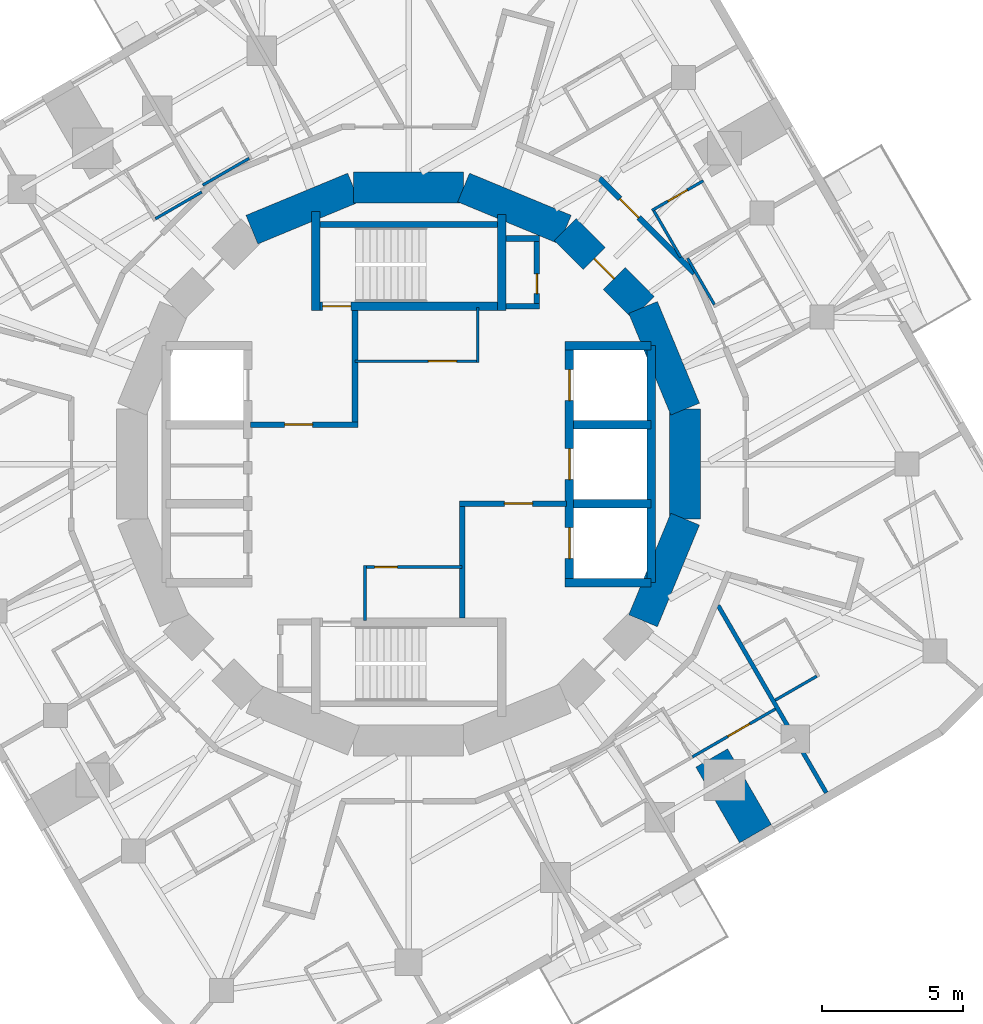
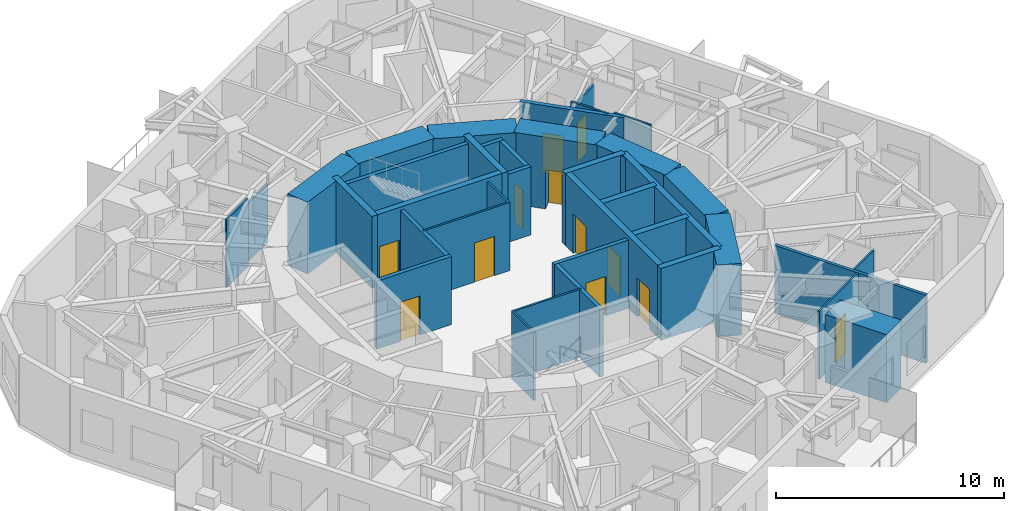
# One storey, part 7 of 12: 38 walls, 13 doors, 13 openings.
"""IFC4 building model written with IfcOpenShell, lengths in metres."""

from ifc_helpers import new_model, si_unit, direction, frame, frame_2d, origin, place, context, subcontext, project, spatial, rectangle, extrude, material, layer, layer_set, type_object, element, fill, save


model = new_model("IFC4")

# Units and contexts
model_context = context("Model", 3, precision=1e-05, world=origin(), true_north=direction((0.0, 1.0)))
body_context = subcontext(model_context, "Body", "Model", "MODEL_VIEW")
ifc_project = project(units=[si_unit("LENGTHUNIT", "METRE"), si_unit("AREAUNIT", "SQUARE_METRE"), si_unit("VOLUMEUNIT", "CUBIC_METRE"), si_unit("PLANEANGLEUNIT", "RADIAN"), si_unit("MASSUNIT", "GRAM", prefix="KILO")], contexts=[model_context])

# Site, building, storey
site_placement = place(None, origin())
site = spatial("IfcSite", under=ifc_project, at=site_placement, CompositionType="ELEMENT")
building_placement = place(site_placement, origin())
building = spatial("IfcBuilding", under=site, at=building_placement, Name="Nakasero Lantern House", CompositionType="ELEMENT")
storey_placement = place(building_placement, frame((0.0, 0.0, 226.949951171875)))
storey = spatial("IfcBuildingStorey", under=building, at=storey_placement, Name="L55", CompositionType="ELEMENT", Elevation=226.949951171875)

# Wall
ifc_material_1 = material(Name="Blockwork", Category="masonry")
ifc_layer_1 = layer(ifc_material_1, 1.300048828125)
ifc_layer_set_1 = layer_set([ifc_layer_1], Name="Column pier 1300")
wall_type_1 = type_object("IfcWallType", Name="Column pier 1300", PredefinedType="PARTITIONING", material=ifc_layer_set_1)
wall_1_placement = place(storey_placement, frame((10.75048828125, -10.4208984375, 0.0), z_axis=(0.0, 0.0, 1.0), x_axis=(0.499933790963, -0.866063626216, 0.0)))
element("IfcWall", 1, at=wall_1_placement, inside=storey, type_object=wall_type_1, Name="Column pier L55 PN3-05", PredefinedType="PARTITIONING", context=body_context, shape_type="SweptSolid", body=[
    extrude(rectangle(XDim=3.10009765625, YDim=1.300048828125, at=frame_2d((1.550048828125, 0.0))), origin(), (0.0, 0.0, 1.0), 3.650146484375),
])

# Wall, openings, doors
ifc_material_2 = material(Name="Concrete C50/60", Category="concrete")
ifc_layer_2 = layer(ifc_material_2, 0.300048828125)
ifc_layer_set_2 = layer_set([ifc_layer_2], Name="Core inner wall 300")
wall_type_2 = type_object("IfcWallType", Name="Core inner wall 300", PredefinedType="SHEAR", material=ifc_layer_set_2)
wall_2_placement = place(storey_placement, frame((5.699951171875, -4.199951171875, 0.0), z_axis=(0.0, 0.0, 1.0), x_axis=(0.0, 1.0, 0.0)))
wall_2 = element("IfcWall", 2, at=wall_2_placement, inside=storey, type_object=wall_type_2, Name="Core inner wall L55 LE", PredefinedType="SHEAR", context=body_context, shape_type="SweptSolid", body=[
    extrude(rectangle(XDim=8.39990234375, YDim=0.300048828125, at=frame_2d((4.199951171875, 0.0))), origin(), (0.0, 0.0, 1.0), 3.85009765625),
])
opening_1_placement = place(wall_2_placement, frame((0.85009765625, 0.0, 0.0)))
opening_1 = element("IfcOpeningElement", 3, at=opening_1_placement, cuts=wall_2, Name="Opening LD", PredefinedType="OPENING", context=body_context, shape_type="SweptSolid", body=[
    extrude(rectangle(XDim=1.10009765625, YDim=2.10009765625, at=frame_2d((0.550048828125, 1.050048828125))), frame((0.0, 0.169921875, 0.0), z_axis=(0.0, -1.0, 0.0), x_axis=(1.0, 0.0, 0.0)), (0.0, 0.0, 1.0), 0.340087890625),
])
opening_2_placement = place(wall_2_placement, frame((3.64990234375, 0.0, 0.0)))
opening_2 = element("IfcOpeningElement", 4, at=opening_2_placement, cuts=wall_2, Name="Opening LD", PredefinedType="OPENING", context=body_context, shape_type="SweptSolid", body=[
    extrude(rectangle(XDim=1.10009765625, YDim=2.10009765625, at=frame_2d((0.550048828125, 1.050048828125))), frame((0.0, 0.169921875, 0.0), z_axis=(0.0, -1.0, 0.0), x_axis=(1.0, 0.0, 0.0)), (0.0, 0.0, 1.0), 0.340087890625),
])
opening_3_placement = place(wall_2_placement, frame((6.449951171875, 0.0, 0.0)))
opening_3 = element("IfcOpeningElement", 5, at=opening_3_placement, cuts=wall_2, Name="Opening LD", PredefinedType="OPENING", context=body_context, shape_type="SweptSolid", body=[
    extrude(rectangle(XDim=1.10009765625, YDim=2.10009765625, at=frame_2d((0.550048828125, 1.050048828125))), frame((0.0, 0.169921875, 0.0), z_axis=(0.0, -1.0, 0.0), x_axis=(1.0, 0.0, 0.0)), (0.0, 0.0, 1.0), 0.340087890625),
])
ifc_material_3 = material(Name="Steel S355", Category="steel")
door_type_1 = type_object("IfcDoorType", Name="Lift landing door E120 1100", OperationType="SLIDING_TO_LEFT", PredefinedType="DOOR", material=ifc_material_3)
door_1_placement = place(opening_1_placement, origin())
door_1 = element("IfcDoor", 6, at=door_1_placement, inside=storey, type_object=door_type_1, Name="Lift landing door LE1", OperationType="SLIDING_TO_LEFT", OverallHeight=2.10009765625, OverallWidth=1.10009765625, PredefinedType="DOOR", context=body_context, shape_type="SweptSolid", body=[
    extrude(rectangle(XDim=1.10009765625, YDim=2.10009765625, at=frame_2d((0.550048828125, 1.050048828125))), frame((0.0, 0.02490234375, 0.0), z_axis=(0.0, -1.0, 0.0), x_axis=(1.0, 0.0, 0.0)), (0.0, 0.0, 1.0), 0.050048828125),
])
fill(opening_1, door_1)
door_2_placement = place(opening_2_placement, origin())
door_2 = element("IfcDoor", 7, at=door_2_placement, inside=storey, type_object=door_type_1, Name="Lift landing door LE2", OperationType="SLIDING_TO_LEFT", OverallHeight=2.10009765625, OverallWidth=1.10009765625, PredefinedType="DOOR", context=body_context, shape_type="SweptSolid", body=[
    extrude(rectangle(XDim=1.10009765625, YDim=2.10009765625, at=frame_2d((0.550048828125, 1.050048828125))), frame((0.0, 0.02490234375, 0.0), z_axis=(0.0, -1.0, 0.0), x_axis=(1.0, 0.0, 0.0)), (0.0, 0.0, 1.0), 0.050048828125),
])
fill(opening_2, door_2)
door_3_placement = place(opening_3_placement, origin())
door_3 = element("IfcDoor", 8, at=door_3_placement, inside=storey, type_object=door_type_1, Name="Lift landing door LE3", OperationType="SLIDING_TO_LEFT", OverallHeight=2.10009765625, OverallWidth=1.10009765625, PredefinedType="DOOR", context=body_context, shape_type="SweptSolid", body=[
    extrude(rectangle(XDim=1.10009765625, YDim=2.10009765625, at=frame_2d((0.550048828125, 1.050048828125))), frame((0.0, 0.02490234375, 0.0), z_axis=(0.0, -1.0, 0.0), x_axis=(1.0, 0.0, 0.0)), (0.0, 0.0, 1.0), 0.050048828125),
])
fill(opening_3, door_3)

# Walls
for number, where, z_axis, x_axis, name in (
    (9, (5.550048828125, 4.199951171875, 0.0), (0.0, 0.0, 1.0), (1.0, 0.0, 0.0), "Core inner wall L55 LEN"),
    (10, (5.550048828125, -4.199951171875, 0.0), (0.0, 0.0, 1.0), (1.0, 0.0, 0.0), "Core inner wall L55 LES"),
):
    element("IfcWall", number, at=place(storey_placement, frame(where, z_axis=z_axis, x_axis=x_axis)), inside=storey, type_object=wall_type_2, Name=name, PredefinedType="SHEAR", context=body_context, shape_type="SweptSolid", body=[
        extrude(rectangle(XDim=3.050048828125, YDim=0.300048828125, at=frame_2d((1.52490234375, 0.0))), origin(), (0.0, 0.0, 1.0), 3.85009765625),
    ])
wall_3_placement = place(storey_placement, frame((8.60009765625, -4.199951171875, 0.0), z_axis=(0.0, 0.0, 1.0), x_axis=(0.0, 1.0, 0.0)))
element("IfcWall", 11, at=wall_3_placement, inside=storey, type_object=wall_type_2, Name="Core inner wall L55 LEB", PredefinedType="SHEAR", context=body_context, shape_type="SweptSolid", body=[
    extrude(rectangle(XDim=8.39990234375, YDim=0.300048828125, at=frame_2d((4.199951171875, 0.0))), origin(), (0.0, 0.0, 1.0), 3.85009765625),
])
for number, where, z_axis, x_axis, name in (
    (12, (5.85009765625, -1.39990234375, 0.0), (0.0, 0.0, 1.0), (1.0, 0.0, 0.0), "Core inner wall L55 LE1"),
    (13, (5.85009765625, 1.39990234375, 0.0), (0.0, 0.0, 1.0), (1.0, 0.0, 0.0), "Core inner wall L55 LE2"),
):
    element("IfcWall", number, at=place(storey_placement, frame(where, z_axis=z_axis, x_axis=x_axis)), inside=storey, type_object=wall_type_2, Name=name, PredefinedType="SHEAR", context=body_context, shape_type="SweptSolid", body=[
        extrude(rectangle(XDim=2.75, YDim=0.300048828125, at=frame_2d((1.375, 0.0))), origin(), (0.0, 0.0, 1.0), 3.85009765625),
    ])

# Wall, opening, door
wall_4_placement = place(storey_placement, frame((-3.449951171875, 5.60009765625, 0.0), z_axis=(0.0, 0.0, 1.0), x_axis=(1.0, 0.0, 0.0)))
wall_4 = element("IfcWall", 14, at=wall_4_placement, inside=storey, type_object=wall_type_2, Name="Core inner wall L55 SN", PredefinedType="SHEAR", context=body_context, shape_type="SweptSolid", body=[
    extrude(rectangle(XDim=6.89990234375, YDim=0.300048828125, at=frame_2d((3.449951171875, 0.0))), origin(), (0.0, 0.0, 1.0), 3.85009765625),
])
opening_4_placement = place(wall_4_placement, frame((0.39990234375, 0.0, 0.0)))
opening_4 = element("IfcOpeningElement", 15, at=opening_4_placement, cuts=wall_4, Name="Opening D05", PredefinedType="OPENING", context=body_context, shape_type="SweptSolid", body=[
    extrude(rectangle(XDim=1.0, YDim=2.10009765625, at=frame_2d((0.5, 1.050048828125))), frame((0.0, 0.169921875, 0.0), z_axis=(0.0, -1.0, 0.0), x_axis=(1.0, 0.0, 0.0)), (0.0, 0.0, 1.0), 0.340087890625),
])
ifc_material_4 = material(Name="Timber C24", Category="wood")
door_type_2 = type_object("IfcDoorType", Name="Core door FD60S 1000", OperationType="SINGLE_SWING_LEFT", PredefinedType="DOOR", material=ifc_material_4)
door_4_placement = place(opening_4_placement, origin())
door_4 = element("IfcDoor", 16, at=door_4_placement, inside=storey, type_object=door_type_2, Name="Door L55 D-ST1", OperationType="SINGLE_SWING_LEFT", OverallHeight=2.10009765625, OverallWidth=1.0, PredefinedType="DOOR", context=body_context, shape_type="SweptSolid", body=[
    extrude(rectangle(XDim=1.0, YDim=2.10009765625, at=frame_2d((0.5, 1.050048828125))), frame((0.0, 0.02490234375, 0.0), z_axis=(0.0, -1.0, 0.0), x_axis=(1.0, 0.0, 0.0)), (0.0, 0.0, 1.0), 0.050048828125),
])
fill(opening_4, door_4)

# Walls
wall_5_placement = place(storey_placement, frame((-3.300048828125, 5.449951171875, 0.0), z_axis=(0.0, 0.0, 1.0), x_axis=(0.0, 1.0, 0.0)))
element("IfcWall", 17, at=wall_5_placement, inside=storey, type_object=wall_type_2, Name="Core inner wall L55 SNW", PredefinedType="SHEAR", context=body_context, shape_type="SweptSolid", body=[
    extrude(rectangle(XDim=3.5, YDim=0.300048828125, at=frame_2d((1.75, 0.0))), origin(), (0.0, 0.0, 1.0), 3.85009765625),
])
wall_6_placement = place(storey_placement, frame((3.300048828125, 5.449951171875, 0.0), z_axis=(0.0, 0.0, 1.0), x_axis=(0.0, 1.0, 0.0)))
element("IfcWall", 18, at=wall_6_placement, inside=storey, type_object=wall_type_2, Name="Core inner wall L55 SNE", PredefinedType="SHEAR", context=body_context, shape_type="SweptSolid", body=[
    extrude(rectangle(XDim=3.400146484375, YDim=0.300048828125, at=frame_2d((1.7001953125, 0.0))), origin(), (0.0, 0.0, 1.0), 3.85009765625),
])

# Wall, opening, door
ifc_material_5 = material(Name="Blockwork", Category="masonry")
ifc_layer_3 = layer(ifc_material_5, 0.10009765625)
ifc_layer_set_3 = layer_set([ifc_layer_3], Name="Core room wall 100")
wall_type_3 = type_object("IfcWallType", Name="Core room wall 100", PredefinedType="PARTITIONING", material=ifc_layer_set_3)
wall_7_placement = place(storey_placement, frame((-1.89990234375, 3.64990234375, 0.0), z_axis=(0.0, 0.0, 1.0), x_axis=(1.0, 0.0, 0.0)))
wall_7 = element("IfcWall", 19, at=wall_7_placement, inside=storey, type_object=wall_type_3, Name="Core room wall L55 CR-NES", PredefinedType="PARTITIONING", context=body_context, shape_type="SweptSolid", body=[
    extrude(rectangle(XDim=4.39990234375, YDim=0.10009765625, at=frame_2d((2.199951171875, 0.0))), origin(), (0.0, 0.0, 1.0), 3.650146484375),
])
opening_5_placement = place(wall_7_placement, frame((2.60009765625, 0.0, 0.0)))
opening_5 = element("IfcOpeningElement", 20, at=opening_5_placement, cuts=wall_7, Name="Opening D07", PredefinedType="OPENING", context=body_context, shape_type="SweptSolid", body=[
    extrude(rectangle(XDim=1.0, YDim=2.10009765625, at=frame_2d((0.5, 1.050048828125))), frame((0.0, 0.070068359375, 0.0), z_axis=(0.0, -1.0, 0.0), x_axis=(1.0, 0.0, 0.0)), (0.0, 0.0, 1.0), 0.14013671875),
])
ifc_material_6 = material(Name="Timber C24", Category="wood")
door_type_3 = type_object("IfcDoorType", Name="Room door FD30S 1000", OperationType="SINGLE_SWING_LEFT", PredefinedType="DOOR", material=ifc_material_6)
door_5_placement = place(opening_5_placement, origin())
door_5 = element("IfcDoor", 21, at=door_5_placement, inside=storey, type_object=door_type_3, Name="Door L55 D-CR-NE", OperationType="SINGLE_SWING_RIGHT", OverallHeight=2.10009765625, OverallWidth=1.0, PredefinedType="DOOR", context=body_context, shape_type="SweptSolid", body=[
    extrude(rectangle(XDim=1.0, YDim=2.10009765625, at=frame_2d((0.5, 1.050048828125))), frame((0.0, 0.02490234375, 0.0), z_axis=(0.0, -1.0, 0.0), x_axis=(1.0, 0.0, 0.0)), (0.0, 0.0, 1.0), 0.050048828125),
])
fill(opening_5, door_5)

# Wall
wall_8_placement = place(storey_placement, frame((2.449951171875, 3.60009765625, 0.0), z_axis=(0.0, 0.0, 1.0), x_axis=(0.0, 1.0, 0.0)))
element("IfcWall", 22, at=wall_8_placement, inside=storey, type_object=wall_type_3, Name="Core room wall L55 CR-NEE", PredefinedType="PARTITIONING", context=body_context, shape_type="SweptSolid", body=[
    extrude(rectangle(XDim=1.949951171875, YDim=0.10009765625, at=frame_2d((0.97509765625, 0.0))), origin(), (0.0, 0.0, 1.0), 3.650146484375),
])

# Wall, opening, door
wall_9_placement = place(storey_placement, frame((-1.60009765625, -3.64990234375, 0.0), z_axis=(0.0, 0.0, 1.0), x_axis=(1.0, 0.0, 0.0)))
wall_9 = element("IfcWall", 23, at=wall_9_placement, inside=storey, type_object=wall_type_3, Name="Core room wall L55 CR-SWN", PredefinedType="PARTITIONING", context=body_context, shape_type="SweptSolid", body=[
    extrude(rectangle(XDim=3.5, YDim=0.10009765625, at=frame_2d((1.75, 0.0))), origin(), (0.0, 0.0, 1.0), 3.650146484375),
])
opening_6_placement = place(wall_9_placement, frame((0.39990234375, 0.0, 0.0)))
opening_6 = element("IfcOpeningElement", 24, at=opening_6_placement, cuts=wall_9, Name="Opening D15", PredefinedType="OPENING", context=body_context, shape_type="SweptSolid", body=[
    extrude(rectangle(XDim=0.800048828125, YDim=2.10009765625, at=frame_2d((0.39990234375, 1.050048828125))), frame((0.0, 0.070068359375, 0.0), z_axis=(0.0, -1.0, 0.0), x_axis=(1.0, 0.0, 0.0)), (0.0, 0.0, 1.0), 0.14013671875),
])
ifc_material_7 = material(Name="Timber C24", Category="wood")
door_type_4 = type_object("IfcDoorType", Name="Cleaner's store door FD30S 800", OperationType="SINGLE_SWING_LEFT", PredefinedType="DOOR", material=ifc_material_7)
door_6_placement = place(opening_6_placement, origin())
door_6 = element("IfcDoor", 25, at=door_6_placement, inside=storey, type_object=door_type_4, Name="Door L55 D-CR-SW", OperationType="SINGLE_SWING_LEFT", OverallHeight=2.10009765625, OverallWidth=0.800048828125, PredefinedType="DOOR", context=body_context, shape_type="SweptSolid", body=[
    extrude(rectangle(XDim=0.800048828125, YDim=2.10009765625, at=frame_2d((0.39990234375, 1.050048828125))), frame((0.0, 0.02490234375, 0.0), z_axis=(0.0, -1.0, 0.0), x_axis=(1.0, 0.0, 0.0)), (0.0, 0.0, 1.0), 0.050048828125),
])
fill(opening_6, door_6)

# Walls
wall_10_placement = place(storey_placement, frame((-1.550048828125, -5.550048828125, 0.0), z_axis=(0.0, 0.0, 1.0), x_axis=(0.0, 1.0, 0.0)))
element("IfcWall", 26, at=wall_10_placement, inside=storey, type_object=wall_type_3, Name="Core room wall L55 CR-SWW", PredefinedType="PARTITIONING", context=body_context, shape_type="SweptSolid", body=[
    extrude(rectangle(XDim=1.949951171875, YDim=0.10009765625, at=frame_2d((0.97509765625, 0.0))), origin(), (0.0, 0.0, 1.0), 3.650146484375),
])
ifc_material_8 = material(Name="Concrete C50/60", Category="concrete")
ifc_layer_4 = layer(ifc_material_8, 1.10009765625)
ifc_layer_set_4 = layer_set([ifc_layer_4], Name="Core wall 1100")
wall_type_4 = type_object("IfcWallType", Name="Core wall 1100", PredefinedType="SHEAR", material=ifc_layer_set_4)
wall_11_placement = place(storey_placement, frame((9.807861328125, 1.950927734375, 0.0), z_axis=(0.0, 0.0, 1.0), x_axis=(-0.382690736062, 0.923876507187, 0.0)))
element("IfcWall", 27, at=wall_11_placement, inside=storey, type_object=wall_type_4, Name="Core wall L55 facet 1", PredefinedType="SHEAR", context=body_context, shape_type="SweptSolid", body=[
    extrude(rectangle(XDim=3.90185546875, YDim=1.10009765625, at=frame_2d((1.950927734375, 0.0))), origin(), (0.0, 0.0, 1.0), 3.85009765625),
])

# Wall, opening, door
wall_12_placement = place(storey_placement, frame((8.314697265625, 5.5556640625, 0.0), z_axis=(0.0, 0.0, 1.0), x_axis=(-0.707106781187, 0.707106781187, 0.0)))
wall_12 = element("IfcWall", 28, at=wall_12_placement, inside=storey, type_object=wall_type_4, Name="Core wall L55 facet 2", PredefinedType="SHEAR", context=body_context, shape_type="SweptSolid", body=[
    extrude(rectangle(XDim=3.90185546875, YDim=1.10009765625, at=frame_2d((1.950927734375, 0.0))), origin(), (0.0, 0.0, 1.0), 3.85009765625),
])
opening_7_placement = place(wall_12_placement, frame((1.450927734375, 0.0, 0.0)))
opening_7 = element("IfcOpeningElement", 29, at=opening_7_placement, cuts=wall_12, Name="Opening D05", PredefinedType="OPENING", context=body_context, shape_type="SweptSolid", body=[
    extrude(rectangle(XDim=1.0, YDim=2.10009765625, at=frame_2d((0.5, 1.050048828125))), frame((0.0, 0.570068359375, 0.0), z_axis=(0.0, -1.0, 0.0), x_axis=(1.0, 0.0, 0.0)), (0.0, 0.0, 1.0), 1.14013671875),
])
door_7_placement = place(opening_7_placement, origin())
door_7 = element("IfcDoor", 30, at=door_7_placement, inside=storey, type_object=door_type_2, Name="Door L55 D-CORE02", OperationType="SINGLE_SWING_LEFT", OverallHeight=2.10009765625, OverallWidth=1.0, PredefinedType="DOOR", context=body_context, shape_type="SweptSolid", body=[
    extrude(rectangle(XDim=1.0, YDim=2.10009765625, at=frame_2d((0.5, 1.050048828125))), frame((0.0, 0.02490234375, 0.0), z_axis=(0.0, -1.0, 0.0), x_axis=(1.0, 0.0, 0.0)), (0.0, 0.0, 1.0), 0.050048828125),
])
fill(opening_7, door_7)

# Walls
for number, where, z_axis, x_axis, name in (
    (31, (5.5556640625, 8.314697265625, 0.0), (0.0, 0.0, 1.0), (-0.923876507187, 0.382690736062, 0.0), "Core wall L55 facet 3"),
    (32, (1.950927734375, 9.807861328125, 0.0), (0.0, 0.0, 1.0), (-1.0, 0.0, 0.0), "Core wall L55 facet 4"),
    (33, (-1.950927734375, 9.807861328125, 0.0), (0.0, 0.0, 1.0), (-0.923876507187, -0.382690736062, 0.0), "Core wall L55 facet 5"),
    (34, (8.314697265625, -5.5556640625, 0.0), (0.0, 0.0, 1.0), (0.382690736062, 0.923876507187, 0.0), "Core wall L55 facet 15"),
    (35, (9.807861328125, -1.950927734375, 0.0), (0.0, 0.0, 1.0), (0.0, 1.0, 0.0), "Core wall L55 facet 16"),
):
    element("IfcWall", number, at=place(storey_placement, frame(where, z_axis=z_axis, x_axis=x_axis)), inside=storey, type_object=wall_type_4, Name=name, PredefinedType="SHEAR", context=body_context, shape_type="SweptSolid", body=[
        extrude(rectangle(XDim=3.90185546875, YDim=1.10009765625, at=frame_2d((1.950927734375, 0.0))), origin(), (0.0, 0.0, 1.0), 3.85009765625),
    ])

# Wall, opening, door
ifc_material_9 = material(Name="Blockwork", Category="masonry")
ifc_layer_5 = layer(ifc_material_9, 0.199951171875)
ifc_layer_set_5 = layer_set([ifc_layer_5], Name="Corridor wall 200")
wall_type_5 = type_object("IfcWallType", Name="Corridor wall 200", PredefinedType="PARTITIONING", material=ifc_layer_set_5)
wall_13_placement = place(storey_placement, frame((6.773681640625, 10.137451171875, 0.0), z_axis=(0.0, 0.0, 1.0), x_axis=(0.707106781187, -0.707106781187, 0.0)))
wall_13 = element("IfcWall", 36, at=wall_13_placement, inside=storey, type_object=wall_type_5, Name="Corridor wall L55 RC14a", PredefinedType="PARTITIONING", context=body_context, shape_type="SweptSolid", body=[
    extrude(rectangle(XDim=4.757080078125, YDim=0.199951171875, at=frame_2d((2.37841796875, 0.0))), origin(), (0.0, 0.0, 1.0), 3.650146484375),
])
opening_8_placement = place(wall_13_placement, frame((1.02001953125, 0.0, 0.0)))
opening_8 = element("IfcOpeningElement", 37, at=opening_8_placement, cuts=wall_13, Name="Opening D01", PredefinedType="OPENING", context=body_context, shape_type="SweptSolid", body=[
    extrude(rectangle(XDim=0.949951171875, YDim=2.10009765625, at=frame_2d((0.47509765625, 1.050048828125))), frame((0.0, 0.119873046875, 0.0), z_axis=(0.0, -1.0, 0.0), x_axis=(1.0, 0.0, 0.0)), (0.0, 0.0, 1.0), 0.239990234375),
])
ifc_material_10 = material(Name="Timber C24", Category="wood")
door_type_5 = type_object("IfcDoorType", Name="Bedroom door FD30S 950", OperationType="SINGLE_SWING_LEFT", PredefinedType="DOOR", material=ifc_material_10)
door_8_placement = place(opening_8_placement, origin())
door_8 = element("IfcDoor", 38, at=door_8_placement, inside=storey, type_object=door_type_5, Name="Door L55 D0-04", OperationType="SINGLE_SWING_LEFT", OverallHeight=2.10009765625, OverallWidth=0.949951171875, PredefinedType="DOOR", context=body_context, shape_type="SweptSolid", body=[
    extrude(rectangle(XDim=0.949951171875, YDim=2.10009765625, at=frame_2d((0.47509765625, 1.050048828125))), frame((0.0, 0.02490234375, 0.0), z_axis=(0.0, -1.0, 0.0), x_axis=(1.0, 0.0, 0.0)), (0.0, 0.0, 1.0), 0.050048828125),
])
fill(opening_8, door_8)

# Wall
ifc_material_11 = material(Name="Blockwork", Category="masonry")
ifc_layer_6 = layer(ifc_material_11, 0.10009765625)
ifc_layer_set_6 = layer_set([ifc_layer_6], Name="En-suite wall 100")
wall_type_6 = type_object("IfcWallType", Name="En-suite wall 100", PredefinedType="PARTITIONING", material=ifc_layer_set_6)
wall_14_placement = place(storey_placement, frame((10.843017578125, 5.655029296875, 0.0), z_axis=(0.0, 0.0, 1.0), x_axis=(-0.499967155389, 0.866044365799, 0.0)))
element("IfcWall", 39, at=wall_14_placement, inside=storey, type_object=wall_type_6, Name="En-suite wall L55 EI0-03", PredefinedType="PARTITIONING", context=body_context, shape_type="SweptSolid", body=[
    extrude(rectangle(XDim=1.900146484375, YDim=0.10009765625, at=frame_2d((0.9501953125, 0.0))), origin(), (0.0, 0.0, 1.0), 3.650146484375),
])

# Wall, opening, door
wall_15_placement = place(storey_placement, frame((8.632080078125, 8.997314453125, 0.0), z_axis=(0.0, 0.0, 1.0), x_axis=(0.866038466041, 0.499977374825, 0.0)))
wall_15 = element("IfcWall", 40, at=wall_15_placement, inside=storey, type_object=wall_type_6, Name="En-suite wall L55 ES0-04", PredefinedType="PARTITIONING", context=body_context, shape_type="SweptSolid", body=[
    extrude(rectangle(XDim=2.10009765625, YDim=0.10009765625, at=frame_2d((1.050048828125, 0.0))), origin(), (0.0, 0.0, 1.0), 3.295166015625),
])
opening_9_placement = place(wall_15_placement, frame((0.64990234375, 0.0, 0.0)))
opening_9 = element("IfcOpeningElement", 41, at=opening_9_placement, cuts=wall_15, Name="Opening D02", PredefinedType="OPENING", context=body_context, shape_type="SweptSolid", body=[
    extrude(rectangle(XDim=0.800048828125, YDim=2.10009765625, at=frame_2d((0.39990234375, 1.050048828125))), frame((0.0, 0.070068359375, 0.0), z_axis=(0.0, -1.0, 0.0), x_axis=(1.0, 0.0, 0.0)), (0.0, 0.0, 1.0), 0.14013671875),
])
ifc_material_12 = material(Name="Timber C24", Category="wood")
door_type_6 = type_object("IfcDoorType", Name="En-suite door 800", OperationType="SINGLE_SWING_RIGHT", PredefinedType="DOOR", material=ifc_material_12)
door_9_placement = place(opening_9_placement, origin())
door_9 = element("IfcDoor", 42, at=door_9_placement, inside=storey, type_object=door_type_6, Name="Door L55 DE0-04", OperationType="SINGLE_SWING_RIGHT", OverallHeight=2.10009765625, OverallWidth=0.800048828125, PredefinedType="DOOR", context=body_context, shape_type="SweptSolid", body=[
    extrude(rectangle(XDim=0.800048828125, YDim=2.10009765625, at=frame_2d((0.39990234375, 1.050048828125))), frame((0.0, 0.02490234375, 0.0), z_axis=(0.0, -1.0, 0.0), x_axis=(1.0, 0.0, 0.0)), (0.0, 0.0, 1.0), 0.050048828125),
])
fill(opening_9, door_9)

# Walls
wall_16_placement = place(storey_placement, frame((9.650390625, 7.333740234375, 0.0), z_axis=(0.0, 0.0, 1.0), x_axis=(-0.500022797313, 0.86601224135, 0.0)))
element("IfcWall", 43, at=wall_16_placement, inside=storey, type_object=wall_type_6, Name="En-suite wall L55 EI0-04", PredefinedType="PARTITIONING", context=body_context, shape_type="SweptSolid", body=[
    extrude(rectangle(XDim=1.89990234375, YDim=0.10009765625, at=frame_2d((0.949951171875, 0.0))), origin(), (0.0, 0.0, 1.0), 3.650146484375),
])
wall_17_placement = place(storey_placement, frame((-5.655029296875, 10.843017578125, 0.0), z_axis=(0.0, 0.0, 1.0), x_axis=(-0.866044365799, -0.499967155389, 0.0)))
element("IfcWall", 44, at=wall_17_placement, inside=storey, type_object=wall_type_6, Name="En-suite wall L55 EI1-03", PredefinedType="PARTITIONING", context=body_context, shape_type="SweptSolid", body=[
    extrude(rectangle(XDim=1.900146484375, YDim=0.10009765625, at=frame_2d((0.9501953125, 0.0))), origin(), (0.0, 0.0, 1.0), 3.11328125),
])
wall_18_placement = place(storey_placement, frame((-7.333740234375, 9.650390625, 0.0), z_axis=(0.0, 0.0, 1.0), x_axis=(-0.86601224135, -0.500022797313, 0.0)))
element("IfcWall", 45, at=wall_18_placement, inside=storey, type_object=wall_type_6, Name="En-suite wall L55 EI1-04", PredefinedType="PARTITIONING", context=body_context, shape_type="SweptSolid", body=[
    extrude(rectangle(XDim=1.89990234375, YDim=0.10009765625, at=frame_2d((0.949951171875, 0.0))), origin(), (0.0, 0.0, 1.0), 3.650146484375),
])
wall_19_placement = place(storey_placement, frame((13.001708984375, -8.37060546875, 0.0), z_axis=(0.0, 0.0, 1.0), x_axis=(0.86605165483, 0.499954529098, 0.0)))
element("IfcWall", 46, at=wall_19_placement, inside=storey, type_object=wall_type_6, Name="En-suite wall L55 EE3-06", PredefinedType="PARTITIONING", context=body_context, shape_type="SweptSolid", body=[
    extrude(rectangle(XDim=1.699951171875, YDim=0.10009765625, at=frame_2d((0.85009765625, 0.0))), origin(), (0.0, 0.0, 1.0), 3.650146484375),
])

# Wall, opening, door
wall_20_placement = place(storey_placement, frame((10.065673828125, -10.382568359375, 0.0), z_axis=(0.0, 0.0, 1.0), x_axis=(0.866024081565, 0.500002290144, 0.0)))
wall_20 = element("IfcWall", 47, at=wall_20_placement, inside=storey, type_object=wall_type_6, Name="En-suite wall L55 EL3-04", PredefinedType="PARTITIONING", context=body_context, shape_type="SweptSolid", body=[
    extrude(rectangle(XDim=3.3984375, YDim=0.10009765625, at=frame_2d((1.69921875, 0.0))), origin(), (0.0, 0.0, 1.0), 3.650146484375),
])
opening_10_placement = place(wall_20_placement, frame((1.449951171875, 0.0, 0.0)))
opening_10 = element("IfcOpeningElement", 48, at=opening_10_placement, cuts=wall_20, Name="Opening D17", PredefinedType="OPENING", context=body_context, shape_type="SweptSolid", body=[
    extrude(rectangle(XDim=0.89990234375, YDim=2.10009765625, at=frame_2d((0.449951171875, 1.050048828125))), frame((0.0, 0.070068359375, 0.0), z_axis=(0.0, -1.0, 0.0), x_axis=(1.0, 0.0, 0.0)), (0.0, 0.0, 1.0), 0.14013671875),
])
ifc_material_13 = material(Name="Timber C24", Category="wood")
door_type_7 = type_object("IfcDoorType", Name="Bedroom door FD30S 900", OperationType="SINGLE_SWING_LEFT", PredefinedType="DOOR", material=ifc_material_13)
door_10_placement = place(opening_10_placement, origin())
door_10 = element("IfcDoor", 49, at=door_10_placement, inside=storey, type_object=door_type_7, Name="Door L55 DL3-04", OperationType="SINGLE_SWING_RIGHT", OverallHeight=2.10009765625, OverallWidth=0.89990234375, PredefinedType="DOOR", context=body_context, shape_type="SweptSolid", body=[
    extrude(rectangle(XDim=0.89990234375, YDim=2.10009765625, at=frame_2d((0.449951171875, 1.050048828125))), frame((0.0, 0.02490234375, 0.0), z_axis=(0.0, -1.0, 0.0), x_axis=(1.0, 0.0, 0.0)), (0.0, 0.0, 1.0), 0.050048828125),
])
fill(opening_10, door_10)

ifc_material_14 = material(Name="Blockwork", Category="masonry")
ifc_layer_7 = layer(ifc_material_14, 0.199951171875)
ifc_layer_set_7 = layer_set([ifc_layer_7], Name="Fire lobby wall 200")
wall_type_7 = type_object("IfcWallType", Name="Fire lobby wall 200", PredefinedType="PARTITIONING", material=ifc_layer_set_7)
wall_21_placement = place(storey_placement, frame((-5.60009765625, 1.39990234375, 0.0), z_axis=(0.0, 0.0, 1.0), x_axis=(1.0, 0.0, 0.0)))
wall_21 = element("IfcWall", 50, at=wall_21_placement, inside=storey, type_object=wall_type_7, Name="Fire lobby wall L55 W-FL1S", PredefinedType="PARTITIONING", context=body_context, shape_type="SweptSolid", body=[
    extrude(rectangle(XDim=3.800048828125, YDim=0.199951171875, at=frame_2d((1.89990234375, 0.0))), origin(), (0.0, 0.0, 1.0), 3.650146484375),
])
opening_11_placement = place(wall_21_placement, frame((1.199951171875, 0.0, 0.0)))
opening_11 = element("IfcOpeningElement", 51, at=opening_11_placement, cuts=wall_21, Name="Opening D05", PredefinedType="OPENING", context=body_context, shape_type="SweptSolid", body=[
    extrude(rectangle(XDim=1.0, YDim=2.10009765625, at=frame_2d((0.5, 1.050048828125))), frame((0.0, 0.119873046875, 0.0), z_axis=(0.0, -1.0, 0.0), x_axis=(1.0, 0.0, 0.0)), (0.0, 0.0, 1.0), 0.239990234375),
])
door_11_placement = place(opening_11_placement, origin())
door_11 = element("IfcDoor", 52, at=door_11_placement, inside=storey, type_object=door_type_2, Name="Door L55 D-FL1", OperationType="SINGLE_SWING_LEFT", OverallHeight=2.10009765625, OverallWidth=1.0, PredefinedType="DOOR", context=body_context, shape_type="SweptSolid", body=[
    extrude(rectangle(XDim=1.0, YDim=2.10009765625, at=frame_2d((0.5, 1.050048828125))), frame((0.0, 0.02490234375, 0.0), z_axis=(0.0, -1.0, 0.0), x_axis=(1.0, 0.0, 0.0)), (0.0, 0.0, 1.0), 0.050048828125),
])
fill(opening_11, door_11)

# Wall
wall_22_placement = place(storey_placement, frame((-1.89990234375, 1.5, 0.0), z_axis=(0.0, 0.0, 1.0), x_axis=(0.0, 1.0, 0.0)))
element("IfcWall", 53, at=wall_22_placement, inside=storey, type_object=wall_type_7, Name="Fire lobby wall L55 W-FL1E", PredefinedType="PARTITIONING", context=body_context, shape_type="SweptSolid", body=[
    extrude(rectangle(XDim=3.949951171875, YDim=0.199951171875, at=frame_2d((1.97509765625, 0.0))), origin(), (0.0, 0.0, 1.0), 3.650146484375),
])

# Wall, opening, door
wall_23_placement = place(storey_placement, frame((5.60009765625, -1.39990234375, 0.0), z_axis=(0.0, 0.0, 1.0), x_axis=(-1.0, 0.0, 0.0)))
wall_23 = element("IfcWall", 54, at=wall_23_placement, inside=storey, type_object=wall_type_7, Name="Fire lobby wall L55 W-FL2N", PredefinedType="PARTITIONING", context=body_context, shape_type="SweptSolid", body=[
    extrude(rectangle(XDim=3.800048828125, YDim=0.199951171875, at=frame_2d((1.89990234375, 0.0))), origin(), (0.0, 0.0, 1.0), 3.650146484375),
])
opening_12_placement = place(wall_23_placement, frame((1.199951171875, 0.0, 0.0)))
opening_12 = element("IfcOpeningElement", 55, at=opening_12_placement, cuts=wall_23, Name="Opening D05", PredefinedType="OPENING", context=body_context, shape_type="SweptSolid", body=[
    extrude(rectangle(XDim=1.0, YDim=2.10009765625, at=frame_2d((0.5, 1.050048828125))), frame((0.0, 0.119873046875, 0.0), z_axis=(0.0, -1.0, 0.0), x_axis=(1.0, 0.0, 0.0)), (0.0, 0.0, 1.0), 0.239990234375),
])
door_12_placement = place(opening_12_placement, origin())
door_12 = element("IfcDoor", 56, at=door_12_placement, inside=storey, type_object=door_type_2, Name="Door L55 D-FL2", OperationType="SINGLE_SWING_LEFT", OverallHeight=2.10009765625, OverallWidth=1.0, PredefinedType="DOOR", context=body_context, shape_type="SweptSolid", body=[
    extrude(rectangle(XDim=1.0, YDim=2.10009765625, at=frame_2d((0.5, 1.050048828125))), frame((0.0, 0.02490234375, 0.0), z_axis=(0.0, -1.0, 0.0), x_axis=(1.0, 0.0, 0.0)), (0.0, 0.0, 1.0), 0.050048828125),
])
fill(opening_12, door_12)

# Wall
wall_24_placement = place(storey_placement, frame((1.89990234375, -1.5, 0.0), z_axis=(0.0, 0.0, 1.0), x_axis=(0.0, -1.0, 0.0)))
element("IfcWall", 57, at=wall_24_placement, inside=storey, type_object=wall_type_7, Name="Fire lobby wall L55 W-FL2W", PredefinedType="PARTITIONING", context=body_context, shape_type="SweptSolid", body=[
    extrude(rectangle(XDim=3.949951171875, YDim=0.199951171875, at=frame_2d((1.97509765625, 0.0))), origin(), (0.0, 0.0, 1.0), 3.650146484375),
])

# Wall, opening, door
wall_25_placement = place(storey_placement, frame((4.550048828125, 5.60009765625, 0.0), z_axis=(0.0, 0.0, 1.0), x_axis=(0.0, 1.0, 0.0)))
wall_25 = element("IfcWall", 58, at=wall_25_placement, inside=storey, type_object=wall_type_7, Name="Fire lobby wall L55 W-RS1E", PredefinedType="PARTITIONING", context=body_context, shape_type="SweptSolid", body=[
    extrude(rectangle(XDim=2.39990234375, YDim=0.199951171875, at=frame_2d((1.199951171875, 0.0))), origin(), (0.0, 0.0, 1.0), 3.650146484375),
])
opening_13_placement = place(wall_25_placement, frame((0.449951171875, 0.0, 0.0)))
opening_13 = element("IfcOpeningElement", 59, at=opening_13_placement, cuts=wall_25, Name="Opening D06", PredefinedType="OPENING", context=body_context, shape_type="SweptSolid", body=[
    extrude(rectangle(XDim=0.699951171875, YDim=2.10009765625, at=frame_2d((0.35009765625, 1.050048828125))), frame((0.0, 0.119873046875, 0.0), z_axis=(0.0, -1.0, 0.0), x_axis=(1.0, 0.0, 0.0)), (0.0, 0.0, 1.0), 0.239990234375),
])
ifc_material_15 = material(Name="Steel S355", Category="steel")
door_type_8 = type_object("IfcDoorType", Name="Riser door FD60 700", OperationType="SINGLE_SWING_LEFT", PredefinedType="DOOR", material=ifc_material_15)
door_13_placement = place(opening_13_placement, origin())
door_13 = element("IfcDoor", 60, at=door_13_placement, inside=storey, type_object=door_type_8, Name="Door L55 D-RS1", OperationType="SINGLE_SWING_LEFT", OverallHeight=2.10009765625, OverallWidth=0.699951171875, PredefinedType="DOOR", context=body_context, shape_type="SweptSolid", body=[
    extrude(rectangle(XDim=0.699951171875, YDim=2.10009765625, at=frame_2d((0.35009765625, 1.050048828125))), frame((0.0, 0.02490234375, 0.0), z_axis=(0.0, -1.0, 0.0), x_axis=(1.0, 0.0, 0.0)), (0.0, 0.0, 1.0), 0.050048828125),
])
fill(opening_13, door_13)

# Walls
for number, where, z_axis, x_axis, name in (
    (61, (3.449951171875, 8.0, 0.0), (0.0, 0.0, 1.0), (1.0, 0.0, 0.0), "Fire lobby wall L55 W-RS1N"),
    (62, (3.449951171875, 5.60009765625, 0.0), (0.0, 0.0, 1.0), (1.0, 0.0, 0.0), "Fire lobby wall L55 W-RS1S"),
):
    element("IfcWall", number, at=place(storey_placement, frame(where, z_axis=z_axis, x_axis=x_axis)), inside=storey, type_object=wall_type_7, Name=name, PredefinedType="PARTITIONING", context=body_context, shape_type="SweptSolid", body=[
        extrude(rectangle(XDim=1.199951171875, YDim=0.199951171875, at=frame_2d((0.60009765625, 0.0))), origin(), (0.0, 0.0, 1.0), 3.650146484375),
    ])
wall_26_placement = place(storey_placement, frame((-3.300048828125, 8.5, 0.0), z_axis=(0.0, 0.0, 1.0), x_axis=(1.0, 0.0, 0.0)))
element("IfcWall", 63, at=wall_26_placement, inside=storey, type_object=wall_type_7, Name="Fire lobby wall L55 W-STN", PredefinedType="PARTITIONING", context=body_context, shape_type="SweptSolid", body=[
    extrude(rectangle(XDim=6.60009765625, YDim=0.199951171875, at=frame_2d((3.300048828125, 0.0))), origin(), (0.0, 0.0, 1.0), 3.650146484375),
])
ifc_material_16 = material(Name="Blockwork", Category="masonry")
ifc_layer_8 = layer(ifc_material_16, 0.14990234375)
ifc_layer_set_8 = layer_set([ifc_layer_8], Name="Party wall 150")
wall_type_8 = type_object("IfcWallType", Name="Party wall 150", PredefinedType="PARTITIONING", material=ifc_layer_set_8)
wall_27_placement = place(storey_placement, frame((10.9755859375, -5.011474609375, 0.0), z_axis=(0.0, 0.0, 1.0), x_axis=(0.499985976588, -0.866033500054, 0.0)))
element("IfcWall", 64, at=wall_27_placement, inside=storey, type_object=wall_type_8, Name="Party wall L55 PW3-06", PredefinedType="PARTITIONING", context=body_context, shape_type="SweptSolid", body=[
    extrude(rectangle(XDim=7.672119140625, YDim=0.14990234375, at=frame_2d((3.8359375, 0.0))), origin(), (0.0, 0.0, 1.0), 3.650146484375),
])

save(model, "model.ifc")
